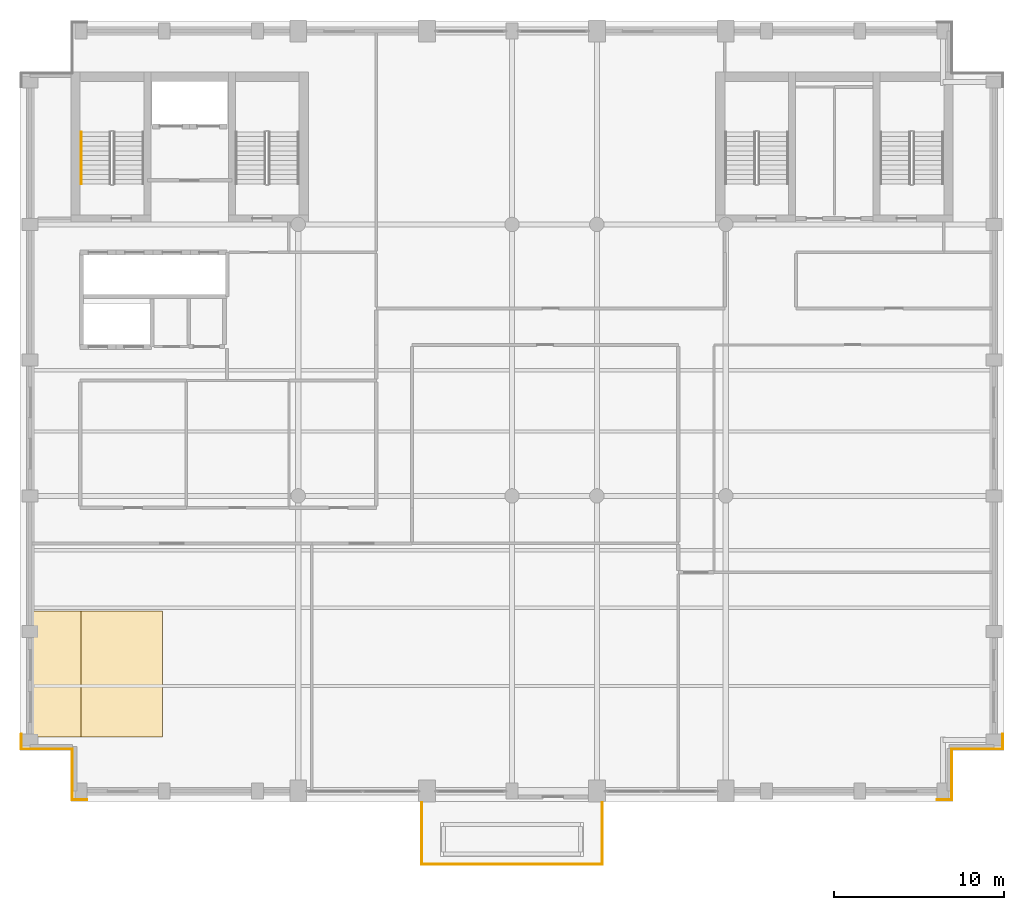
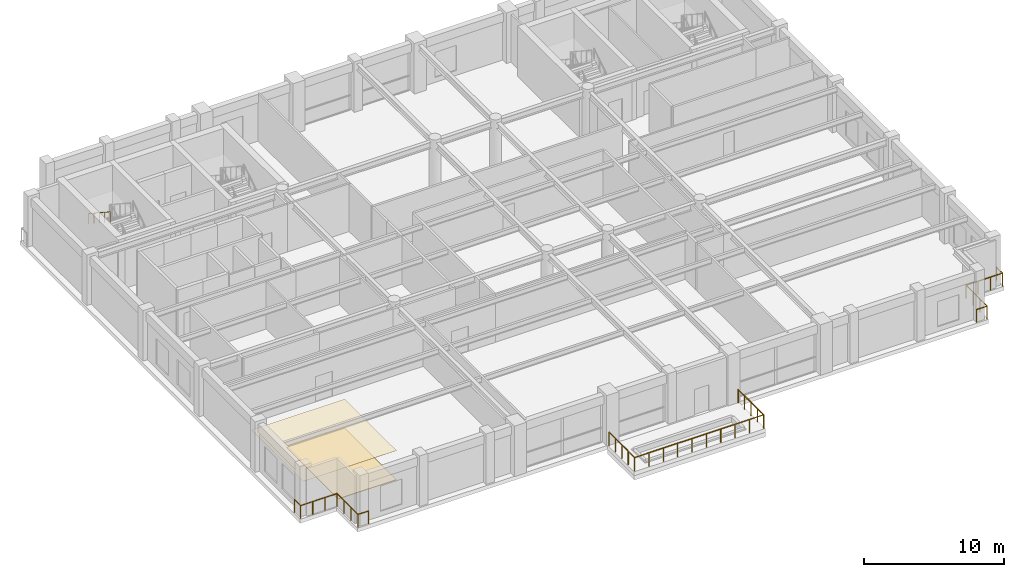
# One storey, part 11 of 13: 12 railings, 2 coverings.
"""IFC4 building model written with IfcOpenShell, lengths in metres."""

from ifc_helpers import new_model, si_unit, direction, frame, origin, origin_2d, place, context, subcontext, project, spatial, polyline, circle, outline, extrude, material, layer, layer_set, type_object, element, save


model = new_model("IFC4")

# Units and contexts
model_context = context("Model", 3, precision=1e-05, world=origin(), true_north=direction((0.0, 1.0)))
body_context = subcontext(model_context, "Body", "Model", "MODEL_VIEW")
ifc_project = project(units=[si_unit("LENGTHUNIT", "METRE"), si_unit("AREAUNIT", "SQUARE_METRE"), si_unit("VOLUMEUNIT", "CUBIC_METRE"), si_unit("PLANEANGLEUNIT", "RADIAN"), si_unit("MASSUNIT", "GRAM", prefix="KILO")], contexts=[model_context])

# Site, building, storey
site_placement = place(None, origin())
site = spatial("IfcSite", under=ifc_project, at=site_placement, CompositionType="ELEMENT")
building_placement = place(site_placement, origin())
building = spatial("IfcBuilding", under=site, at=building_placement, Name="Sulina Concourse Tower", CompositionType="ELEMENT")
storey_placement = place(building_placement, frame((0.0, 0.0, 280.60009765625)))
storey = spatial("IfcBuildingStorey", under=building, at=storey_placement, Name="L68", CompositionType="ELEMENT", Elevation=280.60009765625)

# Railings
ifc_material_1 = material(Name="Galvanised steel railing", Category="steel")
railing_type_1 = type_object("IfcRailingType", Name="Core Stair Steel Guardrail 1150mm", PredefinedType="GUARDRAIL", material=ifc_material_1)
railing_1_placement = place(storey_placement, frame((57.919921875, 3.949951171875, 0.0)))
element("IfcRailing", 1, at=railing_1_placement, inside=storey, type_object=railing_type_1, Name="L68 perimeter edge safety guardrail SE1", PredefinedType="GUARDRAIL", context=body_context, shape_type="SweptSolid", body=[
    extrude(circle(Radius=0.02392578125, at=origin_2d()), frame((0.0, 0.0, 1.1259765625), z_axis=(0.0, -1.0, 0.0), x_axis=(1.0, 0.0, 0.0)), (0.0, 0.0, 1.0), 0.869873046875),
    extrude(circle(Radius=0.02099609375, at=origin_2d()), origin(), (0.0, 0.0, 1.0), 1.101806640625),
    extrude(circle(Radius=0.02099609375, at=origin_2d()), frame((0.0, -0.869873046875, 0.0)), (0.0, 0.0, 1.0), 1.101806640625),
])
railing_2_placement = place(storey_placement, frame((57.919921875, 3.080078125, 0.0)))
element("IfcRailing", 2, at=railing_2_placement, inside=storey, type_object=railing_type_1, Name="L68 perimeter edge safety guardrail SE2", PredefinedType="GUARDRAIL", context=body_context, shape_type="SweptSolid", body=[
    extrude(circle(Radius=0.02392578125, at=origin_2d()), frame((0.0, 0.0, 1.1259765625), z_axis=(-1.0, 0.0, 0.0), x_axis=(0.0, -1.0, 0.0)), (0.0, 0.0, 1.0), 3.0),
    extrude(circle(Radius=0.02099609375, at=origin_2d()), origin(), (0.0, 0.0, 1.0), 1.101806640625),
    extrude(circle(Radius=0.02099609375, at=origin_2d()), frame((-1.0, 0.0, 0.0)), (0.0, 0.0, 1.0), 1.101806640625),
    extrude(circle(Radius=0.02099609375, at=origin_2d()), frame((-2.0, 0.0, 0.0)), (0.0, 0.0, 1.0), 1.101806640625),
    extrude(circle(Radius=0.02099609375, at=origin_2d()), frame((-3.0, 0.0, 0.0)), (0.0, 0.0, 1.0), 1.101806640625),
])
railing_3_placement = place(storey_placement, frame((54.919921875, 3.080078125, 0.0)))
element("IfcRailing", 3, at=railing_3_placement, inside=storey, type_object=railing_type_1, Name="L68 perimeter edge safety guardrail SE3", PredefinedType="GUARDRAIL", context=body_context, shape_type="SweptSolid", body=[
    extrude(circle(Radius=0.02392578125, at=origin_2d()), frame((0.0, 0.0, 1.1259765625), z_axis=(0.0, -1.0, 0.0), x_axis=(1.0, 0.0, 0.0)), (0.0, 0.0, 1.0), 3.0),
    extrude(circle(Radius=0.02099609375, at=origin_2d()), origin(), (0.0, 0.0, 1.0), 1.101806640625),
    extrude(circle(Radius=0.02099609375, at=origin_2d()), frame((0.0, -1.0, 0.0)), (0.0, 0.0, 1.0), 1.101806640625),
    extrude(circle(Radius=0.02099609375, at=origin_2d()), frame((0.0, -2.0, 0.0)), (0.0, 0.0, 1.0), 1.101806640625),
    extrude(circle(Radius=0.02099609375, at=origin_2d()), frame((0.0, -3.0, 0.0)), (0.0, 0.0, 1.0), 1.101806640625),
])
for number, where, name in (
    (4, (54.919921875, 0.080078125, 0.0), "L68 perimeter edge safety guardrail SE4"),
    (5, (3.949951171875, 0.080078125, 0.0), "L68 perimeter edge safety guardrail SW1"),
):
    element("IfcRailing", number, at=place(storey_placement, frame(where)), inside=storey, type_object=railing_type_1, Name=name, PredefinedType="GUARDRAIL", context=body_context, shape_type="SweptSolid", body=[
        extrude(circle(Radius=0.02392578125, at=origin_2d()), frame((0.0, 0.0, 1.1259765625), z_axis=(-1.0, 0.0, 0.0), x_axis=(0.0, -1.0, 0.0)), (0.0, 0.0, 1.0), 0.869873046875),
        extrude(circle(Radius=0.02099609375, at=origin_2d()), origin(), (0.0, 0.0, 1.0), 1.101806640625),
        extrude(circle(Radius=0.02099609375, at=origin_2d()), frame((-0.869873046875, 0.0, 0.0)), (0.0, 0.0, 1.0), 1.101806640625),
    ])
railing_4_placement = place(storey_placement, frame((3.080078125, 0.080078125, 0.0)))
element("IfcRailing", 6, at=railing_4_placement, inside=storey, type_object=railing_type_1, Name="L68 perimeter edge safety guardrail SW2", PredefinedType="GUARDRAIL", context=body_context, shape_type="SweptSolid", body=[
    extrude(circle(Radius=0.02392578125, at=origin_2d()), frame((0.0, 0.0, 1.1259765625), z_axis=(0.0, 1.0, 0.0), x_axis=(-1.0, 0.0, 0.0)), (0.0, 0.0, 1.0), 3.0),
    extrude(circle(Radius=0.02099609375, at=origin_2d()), origin(), (0.0, 0.0, 1.0), 1.101806640625),
    extrude(circle(Radius=0.02099609375, at=origin_2d()), frame((0.0, 1.0, 0.0)), (0.0, 0.0, 1.0), 1.101806640625),
    extrude(circle(Radius=0.02099609375, at=origin_2d()), frame((0.0, 2.0, 0.0)), (0.0, 0.0, 1.0), 1.101806640625),
    extrude(circle(Radius=0.02099609375, at=origin_2d()), frame((0.0, 3.0, 0.0)), (0.0, 0.0, 1.0), 1.101806640625),
])
railing_5_placement = place(storey_placement, frame((3.080078125, 3.080078125, 0.0)))
element("IfcRailing", 7, at=railing_5_placement, inside=storey, type_object=railing_type_1, Name="L68 perimeter edge safety guardrail SW3", PredefinedType="GUARDRAIL", context=body_context, shape_type="SweptSolid", body=[
    extrude(circle(Radius=0.02392578125, at=origin_2d()), frame((0.0, 0.0, 1.1259765625), z_axis=(-1.0, 0.0, 0.0), x_axis=(0.0, -1.0, 0.0)), (0.0, 0.0, 1.0), 3.0),
    extrude(circle(Radius=0.02099609375, at=origin_2d()), origin(), (0.0, 0.0, 1.0), 1.101806640625),
    extrude(circle(Radius=0.02099609375, at=origin_2d()), frame((-1.0, 0.0, 0.0)), (0.0, 0.0, 1.0), 1.101806640625),
    extrude(circle(Radius=0.02099609375, at=origin_2d()), frame((-2.0, 0.0, 0.0)), (0.0, 0.0, 1.0), 1.101806640625),
    extrude(circle(Radius=0.02099609375, at=origin_2d()), frame((-3.0, 0.0, 0.0)), (0.0, 0.0, 1.0), 1.101806640625),
])
railing_6_placement = place(storey_placement, frame((0.080078125, 3.080078125, 0.0)))
element("IfcRailing", 8, at=railing_6_placement, inside=storey, type_object=railing_type_1, Name="L68 perimeter edge safety guardrail SW4", PredefinedType="GUARDRAIL", context=body_context, shape_type="SweptSolid", body=[
    extrude(circle(Radius=0.02392578125, at=origin_2d()), frame((0.0, 0.0, 1.1259765625), z_axis=(0.0, 1.0, 0.0), x_axis=(-1.0, 0.0, 0.0)), (0.0, 0.0, 1.0), 0.869873046875),
    extrude(circle(Radius=0.02099609375, at=origin_2d()), origin(), (0.0, 0.0, 1.0), 1.101806640625),
    extrude(circle(Radius=0.02099609375, at=origin_2d()), frame((0.0, 0.869873046875, 0.0)), (0.0, 0.0, 1.0), 1.101806640625),
])

# Covering
ifc_material_2 = material(Name="Polished granite flooring", Category="masonry")
ifc_layer_1 = layer(ifc_material_2, 0.044921875)
ifc_layer_set_1 = layer_set([ifc_layer_1], Name="Polished granite flooring")
covering_type_1 = type_object("IfcCoveringType", Name="Polished Granite & Raised Access Flooring 45mm", PredefinedType="FLOORING", material=ifc_layer_set_1)
covering_1_placement = place(storey_placement, origin())
element("IfcCovering", 9, at=covering_1_placement, inside=storey, type_object=covering_type_1, Name="L68 raised access floor finish", PredefinedType="FLOORING", context=body_context, shape_type="SweptSolid", body=[
    extrude(outline(polyline([(3.60009765625, 3.800048828125), (8.39990234375, 3.800048828125), (8.39990234375, 11.199951171875), (3.60009765625, 11.199951171875), (3.60009765625, 3.800048828125)])), origin(), (0.0, 0.0, 1.0), 0.044921875),
])

# Railing
ifc_material_3 = material(Name="Galvanised steel railing", Category="steel")
railing_type_2 = type_object("IfcRailingType", Name="Stair Wall Steel Handrail 920mm", PredefinedType="HANDRAIL", material=ifc_material_3)
railing_7_placement = place(storey_placement, frame((3.60498046875, 39.455078125, 2.38330078125)))
element("IfcRailing", 10, at=railing_7_placement, inside=storey, type_object=railing_type_2, Name="L68 ST-1 stair handrail 2", PredefinedType="HANDRAIL", context=body_context, shape_type="SweptSolid", body=[
    extrude(circle(Radius=0.02392578125, at=origin_2d()), frame((0.0, 0.0, 0.89599609375), z_axis=(0.0, -0.836633000464, 0.547763838287), x_axis=(1.0, 0.0, 0.0)), (0.0, 0.0, 1.0), 3.681396484375),
    extrude(circle(Radius=0.02099609375, at=origin_2d()), origin(), (0.0, 0.0, 1.0), 0.871826171875),
    extrude(circle(Radius=0.02099609375, at=origin_2d()), frame((0.0, -0.77001953125, 0.504150390625)), (0.0, 0.0, 1.0), 0.871826171875),
    extrude(circle(Radius=0.02099609375, at=origin_2d()), frame((0.0, -1.5400390625, 1.00830078125)), (0.0, 0.0, 1.0), 0.871826171875),
    extrude(circle(Radius=0.02099609375, at=origin_2d()), frame((0.0, -2.31005859375, 1.512451171875)), (0.0, 0.0, 1.0), 0.871826171875),
    extrude(circle(Radius=0.02099609375, at=origin_2d()), frame((0.0, -3.080078125, 2.0166015625)), (0.0, 0.0, 1.0), 0.871826171875),
])

# Covering
ifc_material_4 = material(Name="Acoustic mineral ceiling board")
ifc_layer_2 = layer(ifc_material_4, 0.02490234375)
ifc_layer_set_2 = layer_set([ifc_layer_2], Name="Acoustic mineral ceiling board")
covering_type_2 = type_object("IfcCoveringType", Name="Suspended Acoustic Mineral Ceiling 25mm", PredefinedType="CEILING", material=ifc_layer_set_2)
covering_2_placement = place(storey_placement, frame((0.0, 0.0, 2.5498046875)))
element("IfcCovering", 11, at=covering_2_placement, inside=storey, type_object=covering_type_2, Name="L68 suspended acoustic tile ceiling", PredefinedType="CEILING", context=body_context, shape_type="SweptSolid", body=[
    extrude(outline(polyline([(0.719970703125, 3.800048828125), (8.39990234375, 3.800048828125), (8.39990234375, 11.199951171875), (0.719970703125, 11.199951171875), (0.719970703125, 3.800048828125)])), origin(), (0.0, 0.0, 1.0), 0.025146484375),
])

# Railings
ifc_material_5 = material(Name="Laminated glass balustrade and steel post", Category="steel")
railing_type_3 = type_object("IfcRailingType", Name="Terrace & Sky-Pool Laminated Guardrail 1200mm", PredefinedType="GUARDRAIL", material=ifc_material_5)
railing_8_placement = place(storey_placement, frame((23.679931640625, -3.719970703125, 0.0)))
element("IfcRailing", 12, at=railing_8_placement, inside=storey, type_object=railing_type_3, Name="L68 terrace guardrail SKY-POOL-DECK-1", PredefinedType="GUARDRAIL", context=body_context, shape_type="SweptSolid", body=[
    extrude(circle(Radius=0.02490234375, at=origin_2d()), frame((0.0, 0.0, 1.1748046875), z_axis=(1.0, 0.0, 0.0), x_axis=(0.0, 1.0, 0.0)), (0.0, 0.0, 1.0), 10.64013671875),
    extrude(circle(Radius=0.02099609375, at=origin_2d()), origin(), (0.0, 0.0, 1.0), 1.14990234375),
    extrude(circle(Radius=0.02099609375, at=origin_2d()), frame((1.18212890625, 0.0, 0.0)), (0.0, 0.0, 1.0), 1.14990234375),
    extrude(circle(Radius=0.02099609375, at=origin_2d()), frame((2.364501953125, 0.0, 0.0)), (0.0, 0.0, 1.0), 1.14990234375),
    extrude(circle(Radius=0.02099609375, at=origin_2d()), frame((3.546630859375, 0.0, 0.0)), (0.0, 0.0, 1.0), 1.14990234375),
    extrude(circle(Radius=0.02099609375, at=origin_2d()), frame((4.72900390625, 0.0, 0.0)), (0.0, 0.0, 1.0), 1.14990234375),
    extrude(circle(Radius=0.02099609375, at=origin_2d()), frame((5.9111328125, 0.0, 0.0)), (0.0, 0.0, 1.0), 1.14990234375),
    extrude(circle(Radius=0.02099609375, at=origin_2d()), frame((7.093505859375, 0.0, 0.0)), (0.0, 0.0, 1.0), 1.14990234375),
    extrude(circle(Radius=0.02099609375, at=origin_2d()), frame((8.275634765625, 0.0, 0.0)), (0.0, 0.0, 1.0), 1.14990234375),
    extrude(circle(Radius=0.02099609375, at=origin_2d()), frame((9.4580078125, 0.0, 0.0)), (0.0, 0.0, 1.0), 1.14990234375),
    extrude(circle(Radius=0.02099609375, at=origin_2d()), frame((10.64013671875, 0.0, 0.0)), (0.0, 0.0, 1.0), 1.14990234375),
])
for number, where, name in (
    (13, (23.679931640625, -3.719970703125, 0.0), "L68 terrace guardrail SKY-POOL-DECK-2"),
    (14, (34.320068359375, -3.719970703125, 0.0), "L68 terrace guardrail SKY-POOL-DECK-3"),
):
    element("IfcRailing", number, at=place(storey_placement, frame(where)), inside=storey, type_object=railing_type_3, Name=name, PredefinedType="GUARDRAIL", context=body_context, shape_type="SweptSolid", body=[
        extrude(circle(Radius=0.02490234375, at=origin_2d()), frame((0.0, 0.0, 1.1748046875), z_axis=(0.0, 1.0, 0.0), x_axis=(-1.0, 0.0, 0.0)), (0.0, 0.0, 1.0), 3.639892578125),
        extrude(circle(Radius=0.02099609375, at=origin_2d()), origin(), (0.0, 0.0, 1.0), 1.14990234375),
        extrude(circle(Radius=0.02099609375, at=origin_2d()), frame((0.0, 0.909912109375, 0.0)), (0.0, 0.0, 1.0), 1.14990234375),
        extrude(circle(Radius=0.02099609375, at=origin_2d()), frame((0.0, 1.81982421875, 0.0)), (0.0, 0.0, 1.0), 1.14990234375),
        extrude(circle(Radius=0.02099609375, at=origin_2d()), frame((0.0, 2.72998046875, 0.0)), (0.0, 0.0, 1.0), 1.14990234375),
        extrude(circle(Radius=0.02099609375, at=origin_2d()), frame((0.0, 3.639892578125, 0.0)), (0.0, 0.0, 1.0), 1.14990234375),
    ])

save(model, "model.ifc")
